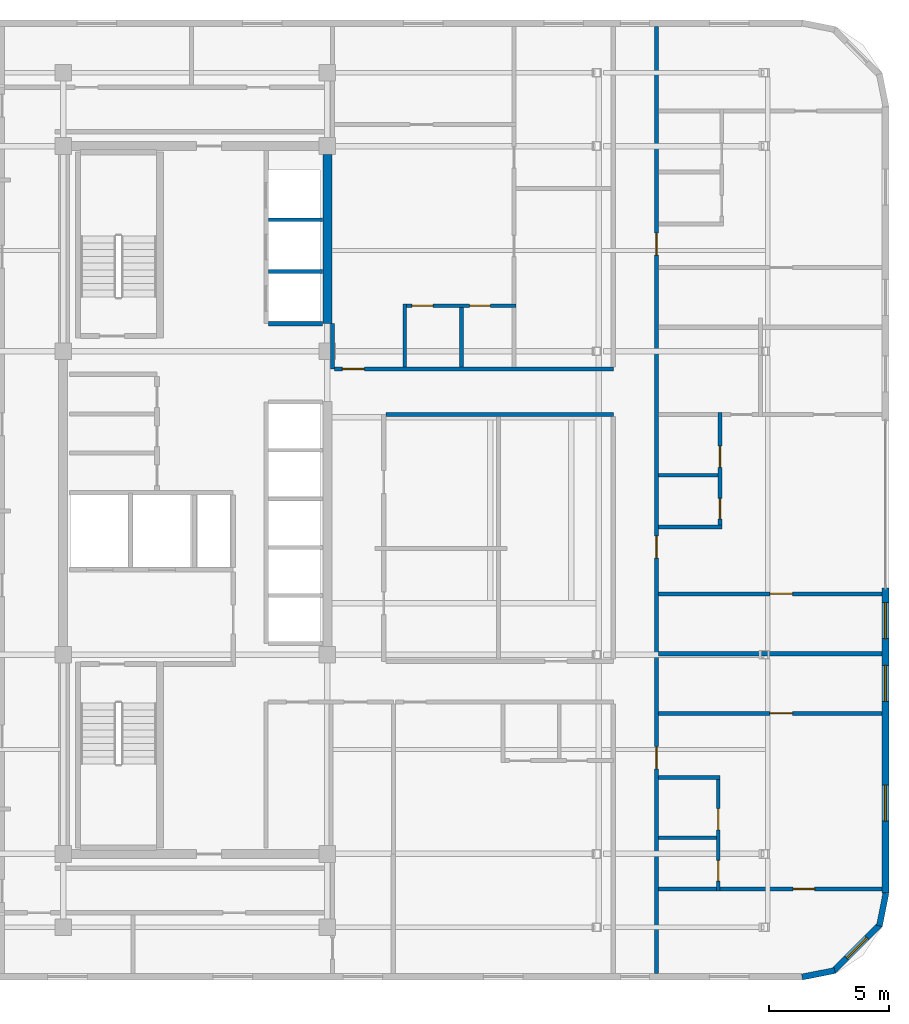
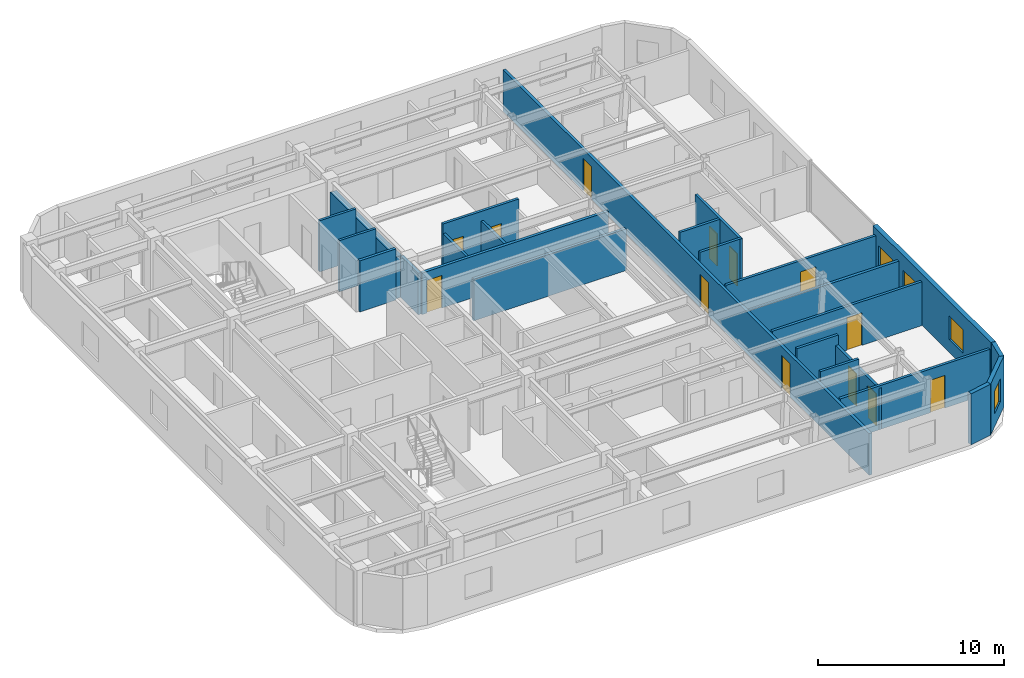
# One storey, part 6 of 9: 25 walls, 13 doors, 4 windows, 17 openings.
"""IFC4 building model written with IfcOpenShell, lengths in metres."""

import ifcopenshell
import ifcopenshell.guid

model = None  # the IFC model being written
_history = None  # IfcOwnerHistory: only IFC2X3 demands one
_inside = {}  # id of a spatial element -> (the spatial element, [elements in it])
_under = {}  # id of a project, library or spatial element -> (it, [spatial elements below it])
_declared = {}  # id of a project -> (the project, [libraries it declares])
_typed = {}  # id of a type object -> (the type object, [elements of that type])
_made_of = {}  # id of a material, layer set ... -> (it, [elements and type objects made of it])


def new_model(schema):
    """Start an empty IFC model of exactly this schema.

    Asked for "IFC4X3", IfcOpenShell would pick the latest addendum, in which some entities
    have other attributes; the version numbers below select the first issue.
    IFC2X3 requires an IfcOwnerHistory on every rooted entity: one is made here for all.
    """
    global model, _history
    if schema == "IFC4X3":
        model = ifcopenshell.file(schema_version=(4, 3, 0, 0))
    else:
        model = ifcopenshell.file(schema=schema)
    _inside.clear()
    _under.clear()
    _declared.clear()
    _typed.clear()
    _made_of.clear()
    _history = None
    if model.schema == "IFC2X3":
        org = make("IfcOrganization", Name="unknown")
        user = make(
            "IfcPersonAndOrganization",
            ThePerson=make("IfcPerson", FamilyName="unknown"),
            TheOrganization=org,
        )
        app = make(
            "IfcApplication",
            ApplicationDeveloper=org,
            Version="unknown",
            ApplicationFullName="unknown",
            ApplicationIdentifier="unknown",
        )
        _history = make(
            "IfcOwnerHistory",
            OwningUser=user,
            OwningApplication=app,
            ChangeAction="ADDED",
            CreationDate=0,
        )
    return model


def make(cls, **values):
    """One entity of the class cls with the attributes given. An attribute that is None is left unset."""
    return model.create_entity(
        cls, **{name: value for name, value in values.items() if value is not None}
    )


def rooted(cls, **values):
    """An entity with a GlobalId (a new one), such as an element, a storey or a relation."""
    return make(cls, GlobalId=ifcopenshell.guid.new(), OwnerHistory=_history, **values)


def si_unit(unit_type, name, prefix=None):
    """IfcSIUnit, for example si_unit("LENGTHUNIT", "METRE", prefix="MILLI")."""
    return make("IfcSIUnit", UnitType=unit_type, Prefix=prefix, Name=name)


def assignment(units):
    """IfcUnitAssignment: the units of a project."""
    return None if units is None else make("IfcUnitAssignment", Units=units)


def point(xyz):
    """IfcCartesianPoint."""
    return None if xyz is None else make("IfcCartesianPoint", Coordinates=xyz)


def direction(xyz):
    """IfcDirection."""
    return None if xyz is None else make("IfcDirection", DirectionRatios=xyz)


def frame(location, z_axis=None, x_axis=None):
    """IfcAxis2Placement3D, a coordinate frame: its origin and axes. An axis left out is left unset."""
    return make(
        "IfcAxis2Placement3D",
        Location=point(location),
        Axis=direction(z_axis),
        RefDirection=direction(x_axis),
    )


def frame_2d(location, x_axis=None):
    """IfcAxis2Placement2D, a coordinate frame in the plane: its origin and x axis."""
    return make(
        "IfcAxis2Placement2D", Location=point(location), RefDirection=direction(x_axis)
    )


def origin():
    """The frame at (0, 0, 0) with its axes left unset."""
    return frame((0.0, 0.0, 0.0))


def place(relative_to, where):
    """IfcLocalPlacement: puts the frame where relative to a parent placement (None: the world)."""
    return make(
        "IfcLocalPlacement", PlacementRelTo=relative_to, RelativePlacement=where
    )


def context(
    kind, dimensions, precision=None, world=None, true_north=None, identifier=None
):
    """IfcGeometricRepresentationContext, for example the 3D "Model" context."""
    return make(
        "IfcGeometricRepresentationContext",
        ContextIdentifier=identifier,
        ContextType=kind,
        CoordinateSpaceDimension=dimensions,
        Precision=precision,
        WorldCoordinateSystem=world,
        TrueNorth=true_north,
    )


def subcontext(parent, identifier, kind, view, scale=None):
    """IfcGeometricRepresentationSubContext, for example "Body" below "Model"."""
    return make(
        "IfcGeometricRepresentationSubContext",
        ContextIdentifier=identifier,
        ContextType=kind,
        ParentContext=parent,
        TargetScale=scale,
        TargetView=view,
    )


def project(units=None, contexts=None):
    """IfcProject with its units and contexts."""
    return rooted(
        "IfcProject",
        Name="project",
        RepresentationContexts=contexts,
        UnitsInContext=assignment(units),
    )


def spatial(cls, under=None, at=None, **own):
    """A site, building, storey or space (cls), placed at a placement, below another one or the project."""
    s = rooted(cls, ObjectPlacement=at, **own)
    if under is not None:
        _under.setdefault(under.id(), (under, []))[1].append(s)
    return s


def profile(cls, at=None, kind="AREA", **sizes):
    """A parametric profile (cls). Its sizes go by their IFC names, for example OverallWidth=200.0."""
    return make(cls, ProfileType=kind, Position=at, **sizes)


def rectangle(**sizes):
    """IfcRectangleProfileDef."""
    return profile("IfcRectangleProfileDef", **sizes)


def extrude(swept, where, along, depth):
    """IfcExtrudedAreaSolid: the profile swept, set in the frame where, extruded along a direction by depth."""
    return make(
        "IfcExtrudedAreaSolid",
        SweptArea=swept,
        Position=where,
        ExtrudedDirection=direction(along),
        Depth=depth,
    )


def shape(context_of_items, identifier, shape_type, items):
    """IfcShapeRepresentation: the items that make up one representation, for example the "Body"."""
    return make(
        "IfcShapeRepresentation",
        ContextOfItems=context_of_items,
        RepresentationIdentifier=identifier,
        RepresentationType=shape_type,
        Items=items,
    )


def material(Name=None, Category=None):
    """IfcMaterial."""
    return make("IfcMaterial", Name=Name, Category=Category)


def layer(
    of_material, thickness, ventilated=None, Name=None, Category=None, Priority=None
):
    """IfcMaterialLayer: one layer of a wall or slab, of a material (None: an air gap)."""
    return make(
        "IfcMaterialLayer",
        Material=of_material,
        LayerThickness=thickness,
        IsVentilated=ventilated,
        Name=Name,
        Category=Category,
        Priority=Priority,
    )


def layer_set(layers, Name=None):
    """IfcMaterialLayerSet."""
    return make("IfcMaterialLayerSet", MaterialLayers=layers, LayerSetName=Name)


def made_of(thing, what):
    """Note that an element or type object is made of a material, layer set ...; save() writes the relation."""
    if what is not None:
        _made_of.setdefault(what.id(), (what, []))[1].append(thing)
    return thing


def type_object(cls, material=None, **own):
    """A type object (cls), such as IfcWallType, which elements share."""
    return made_of(rooted(cls, **own), material)


def element(
    cls,
    number,
    at=None,
    inside=None,
    cuts=None,
    type_object=None,
    material=None,
    context=None,
    identifier="Body",
    shape_type=None,
    held_by="IfcProductDefinitionShape",
    body=None,
    shapes=None,
    **own,
):
    """One element of the class cls, such as IfcWall. Its Tag is "e" and its number.

    at: its placement. inside: the storey or other place that contains it. cuts: it is an
    opening in that element (IfcRelVoidsElement). A single representation is given by context,
    identifier, shape_type and body (its items); several are given by shapes. held_by: the class
    of the entity that holds the representations. save() writes the other relations.
    """
    e = rooted(cls, Tag="e%d" % number, ObjectPlacement=at, **own)
    if body is not None:
        shapes = [shape(context, identifier, shape_type, body)]
    if shapes is not None:
        e.Representation = make(held_by, Representations=shapes)
    if inside is not None:
        _inside.setdefault(inside.id(), (inside, []))[1].append(e)
    if cuts is not None:
        rooted(
            "IfcRelVoidsElement", RelatingBuildingElement=cuts, RelatedOpeningElement=e
        )
    if type_object is not None:
        _typed.setdefault(type_object.id(), (type_object, []))[1].append(e)
    return made_of(e, material)


def fill(opening, filler):
    """IfcRelFillsElement: the door or window that sits in an opening."""
    return rooted(
        "IfcRelFillsElement",
        RelatingOpeningElement=opening,
        RelatedBuildingElement=filler,
    )


def aggregate(whole, parts):
    """IfcRelAggregates: a whole, such as a stair, and the parts it consists of."""
    return rooted("IfcRelAggregates", RelatingObject=whole, RelatedObjects=parts)


def save(model, path):
    """Write the relations noted so far, then the file.

    IfcRelAggregates (storeys below a building ...), IfcRelContainedInSpatialStructure (elements
    in a storey), IfcRelDefinesByType, IfcRelAssociatesMaterial and IfcRelDeclares: one each for
    every whole, place, type object, material and project.
    """
    for whole, parts in _under.values():
        aggregate(whole, parts)
    for where, things in _inside.values():
        rooted(
            "IfcRelContainedInSpatialStructure",
            RelatedElements=things,
            RelatingStructure=where,
        )
    for kind, things in _typed.values():
        rooted("IfcRelDefinesByType", RelatedObjects=things, RelatingType=kind)
    for what, things in _made_of.values():
        rooted("IfcRelAssociatesMaterial", RelatedObjects=things, RelatingMaterial=what)
    for by, libraries in _declared.values():
        rooted("IfcRelDeclares", RelatingContext=by, RelatedDefinitions=libraries)
    model.write(path)


model = new_model("IFC4")

# Units and contexts
model_context = context("Model", 3, precision=1e-05, world=origin(), true_north=direction((0.0, 1.0)))
body_context = subcontext(model_context, "Body", "Model", "MODEL_VIEW")
ifc_project = project(units=[si_unit("LENGTHUNIT", "METRE"), si_unit("AREAUNIT", "SQUARE_METRE"), si_unit("VOLUMEUNIT", "CUBIC_METRE"), si_unit("PLANEANGLEUNIT", "RADIAN"), si_unit("MASSUNIT", "GRAM", prefix="KILO")], contexts=[model_context])

# Site, building, storey
site_placement = place(None, origin())
site = spatial("IfcSite", under=ifc_project, at=site_placement, CompositionType="ELEMENT")
building_placement = place(site_placement, origin())
building = spatial("IfcBuilding", under=site, at=building_placement, Name="Ochreholt Gables", CompositionType="ELEMENT")
storey_placement = place(building_placement, frame((0.0, 0.0, 184.800048828125)))
storey = spatial("IfcBuildingStorey", under=building, at=storey_placement, Name="L48", CompositionType="ELEMENT", Elevation=184.800048828125)

# Wall
ifc_material_1 = material(Name="Concrete 50 MPa", Category="concrete")
ifc_layer_1 = layer(ifc_material_1, 0.3798828125, Name="Concrete 50 MPa")
ifc_layer_set_1 = layer_set([ifc_layer_1], Name="Concrete 50 MPa")
wall_type_1 = type_object("IfcWallType", Name="WALL-CSW-380", PredefinedType="SHEAR", material=ifc_layer_set_1)
wall_1_placement = place(storey_placement, frame((35.2099609375, 31.35009765625, 0.0), z_axis=(0.0, 0.0, 1.0), x_axis=(0.0, 1.0, 0.0)))
element("IfcWall", 1, at=wall_1_placement, inside=storey, type_object=wall_type_1, Name="L48 Core North-East Shear Wall", PredefinedType="SHEAR", context=body_context, shape_type="SweptSolid", body=[
    extrude(rectangle(XDim=7.0498046875, YDim=0.3798828125, at=frame_2d((3.52490234375, 0.0))), origin(), (0.0, 0.0, 1.0), 2.748046875),
])

# Wall, openings, windows
ifc_material_2 = material(Name="Precast concrete 40 MPa", Category="concrete")
ifc_layer_2 = layer(ifc_material_2, 0.280029296875, Name="Precast concrete 40 MPa")
ifc_layer_set_2 = layer_set([ifc_layer_2], Name="Precast concrete 40 MPa")
wall_type_2 = type_object("IfcWallType", Name="WALL-EXT-280", PredefinedType="SOLIDWALL", material=ifc_layer_set_2)
wall_2_placement = place(storey_placement, frame((58.4599609375, 7.6201171875, 0.0), z_axis=(0.0, 0.0, 1.0), x_axis=(0.0, 1.0, 0.0)))
wall_2 = element("IfcWall", 2, at=wall_2_placement, inside=storey, type_object=wall_type_2, Name="L48 East Facade Wall 1", PredefinedType="SOLIDWALL", context=body_context, shape_type="SweptSolid", body=[
    extrude(rectangle(XDim=12.719970703125, YDim=0.280029296875, at=frame_2d((6.35986328125, 0.0))), origin(), (0.0, 0.0, 1.0), 3.35986328125),
])
opening_1_placement = place(wall_2_placement, frame((2.9951171875, 0.0, 0.85009765625)))
opening_1 = element("IfcOpeningElement", 3, at=opening_1_placement, cuts=wall_2, Name="Opening WN-2", PredefinedType="OPENING", context=body_context, shape_type="SweptSolid", body=[
    extrude(rectangle(XDim=1.5, YDim=1.550048828125, at=frame_2d((0.75, 0.77490234375))), frame((0.0, 0.14990234375, 0.0), z_axis=(0.0, -1.0, 0.0), x_axis=(1.0, 0.0, 0.0)), (0.0, 0.0, 1.0), 0.300048828125),
])
opening_2_placement = place(wall_2_placement, frame((7.985107421875, 0.0, 0.85009765625)))
opening_2 = element("IfcOpeningElement", 4, at=opening_2_placement, cuts=wall_2, Name="Opening WN-2", PredefinedType="OPENING", context=body_context, shape_type="SweptSolid", body=[
    extrude(rectangle(XDim=1.5, YDim=1.550048828125, at=frame_2d((0.75, 0.77490234375))), frame((0.0, 0.14990234375, 0.0), z_axis=(0.0, -1.0, 0.0), x_axis=(1.0, 0.0, 0.0)), (0.0, 0.0, 1.0), 0.300048828125),
])
opening_3_placement = place(wall_2_placement, frame((10.60009765625, 0.0, 0.85009765625)))
opening_3 = element("IfcOpeningElement", 5, at=opening_3_placement, cuts=wall_2, Name="Opening WN-2", PredefinedType="OPENING", context=body_context, shape_type="SweptSolid", body=[
    extrude(rectangle(XDim=1.5, YDim=1.550048828125, at=frame_2d((0.75, 0.77490234375))), frame((0.0, 0.14990234375, 0.0), z_axis=(0.0, -1.0, 0.0), x_axis=(1.0, 0.0, 0.0)), (0.0, 0.0, 1.0), 0.300048828125),
])
ifc_material_3 = material(Name="Triple-Glazed Thermally Broken Aluminium Window", Category="aluminium")
window_type_1 = type_object("IfcWindowType", Name="WIN-RES-1500", PartitioningType="SINGLE_PANEL", PredefinedType="WINDOW", material=ifc_material_3)
window_1_placement = place(opening_1_placement, origin())
window_1 = element("IfcWindow", 6, at=window_1_placement, inside=storey, type_object=window_type_1, Name="L48 Window W-EXT-E1-L48-1", OverallHeight=1.550048828125, OverallWidth=1.5, PartitioningType="SINGLE_PANEL", PredefinedType="WINDOW", context=body_context, shape_type="SweptSolid", body=[
    extrude(rectangle(XDim=1.5, YDim=1.550048828125, at=frame_2d((0.75, 0.77490234375))), frame((0.0, 0.030029296875, 0.0), z_axis=(0.0, -1.0, 0.0), x_axis=(1.0, 0.0, 0.0)), (0.0, 0.0, 1.0), 0.06005859375),
])
fill(opening_1, window_1)
window_2_placement = place(opening_2_placement, origin())
window_2 = element("IfcWindow", 7, at=window_2_placement, inside=storey, type_object=window_type_1, Name="L48 Window W-EXT-E1-L48-2", OverallHeight=1.550048828125, OverallWidth=1.5, PartitioningType="SINGLE_PANEL", PredefinedType="WINDOW", context=body_context, shape_type="SweptSolid", body=[
    extrude(rectangle(XDim=1.5, YDim=1.550048828125, at=frame_2d((0.75, 0.77490234375))), frame((0.0, 0.030029296875, 0.0), z_axis=(0.0, -1.0, 0.0), x_axis=(1.0, 0.0, 0.0)), (0.0, 0.0, 1.0), 0.06005859375),
])
fill(opening_2, window_2)
window_3_placement = place(opening_3_placement, origin())
window_3 = element("IfcWindow", 8, at=window_3_placement, inside=storey, type_object=window_type_1, Name="L48 Window W-EXT-E1-L48-3", OverallHeight=1.550048828125, OverallWidth=1.5, PartitioningType="SINGLE_PANEL", PredefinedType="WINDOW", context=body_context, shape_type="SweptSolid", body=[
    extrude(rectangle(XDim=1.5, YDim=1.550048828125, at=frame_2d((0.75, 0.77490234375))), frame((0.0, 0.030029296875, 0.0), z_axis=(0.0, -1.0, 0.0), x_axis=(1.0, 0.0, 0.0)), (0.0, 0.0, 1.0), 0.06005859375),
])
fill(opening_3, window_3)

# Wall
ifc_layer_3 = layer(ifc_material_2, 0.25, Name="Precast concrete 40 MPa")
ifc_layer_set_3 = layer_set([ifc_layer_3], Name="Precast concrete 40 MPa")
wall_type_3 = type_object("IfcWallType", Name="WALL-EXT-CNR", PredefinedType="SOLIDWALL", material=ifc_layer_set_3)
wall_3_placement = place(storey_placement, frame((54.9833984375, 4.124267578125, 0.0), z_axis=(0.0, 0.0, 1.0), x_axis=(0.980809899341, 0.19496651342, 0.0)))
element("IfcWall", 9, at=wall_3_placement, inside=storey, type_object=wall_type_3, Name="L48 Rounded Corner Wall SE-1", PredefinedType="SOLIDWALL", context=body_context, shape_type="SweptSolid", body=[
    extrude(rectangle(XDim=1.388671875, YDim=0.25, at=frame_2d((0.6943359375, 0.0))), origin(), (0.0, 0.0, 1.0), 3.35986328125),
])

# Wall, opening, window
wall_4_placement = place(storey_placement, frame((56.294921875, 4.367919921875, 0.0), z_axis=(0.0, 0.0, 1.0), x_axis=(0.707106781187, 0.707106781187, 0.0)))
wall_4 = element("IfcWall", 10, at=wall_4_placement, inside=storey, type_object=wall_type_3, Name="L48 Rounded Corner Wall SE-2", PredefinedType="SOLIDWALL", context=body_context, shape_type="SweptSolid", body=[
    extrude(rectangle(XDim=2.7392578125, YDim=0.25, at=frame_2d((1.36962890625, 0.0))), origin(), (0.0, 0.0, 1.0), 3.35986328125),
])
opening_4_placement = place(wall_4_placement, frame((0.769775390625, 0.0, 0.85009765625)))
opening_4 = element("IfcOpeningElement", 11, at=opening_4_placement, cuts=wall_4, Name="Opening WN-3", PredefinedType="OPENING", context=body_context, shape_type="SweptSolid", body=[
    extrude(rectangle(XDim=1.199951171875, YDim=1.5, at=frame_2d((0.60009765625, 0.75))), frame((0.0, 0.135009765625, 0.0), z_axis=(0.0, -1.0, 0.0), x_axis=(1.0, 0.0, 0.0)), (0.0, 0.0, 1.0), 0.27001953125),
])
window_type_2 = type_object("IfcWindowType", Name="WIN-RES-1200", PartitioningType="SINGLE_PANEL", PredefinedType="WINDOW", material=ifc_material_3)
window_4_placement = place(opening_4_placement, origin())
window_4 = element("IfcWindow", 12, at=window_4_placement, inside=storey, type_object=window_type_2, Name="L48 Corner Bedroom Window SE", OverallHeight=1.5, OverallWidth=1.199951171875, PartitioningType="SINGLE_PANEL", PredefinedType="WINDOW", context=body_context, shape_type="SweptSolid", body=[
    extrude(rectangle(XDim=1.199951171875, YDim=1.5, at=frame_2d((0.60009765625, 0.75))), frame((0.0, 0.030029296875, 0.0), z_axis=(0.0, -1.0, 0.0), x_axis=(1.0, 0.0, 0.0)), (0.0, 0.0, 1.0), 0.06005859375),
])
fill(opening_4, window_4)

# Walls
wall_5_placement = place(storey_placement, frame((58.205078125, 6.25439453125, 0.0), z_axis=(0.0, 0.0, 1.0), x_axis=(0.19496651342, 0.980809899341, 0.0)))
element("IfcWall", 13, at=wall_5_placement, inside=storey, type_object=wall_type_3, Name="L48 Rounded Corner Wall SE-3", PredefinedType="SOLIDWALL", context=body_context, shape_type="SweptSolid", body=[
    extrude(rectangle(XDim=1.388671875, YDim=0.25, at=frame_2d((0.6943359375, 0.0))), origin(), (0.0, 0.0, 1.0), 3.35986328125),
])
ifc_material_4 = material(Name="Fire-Rated Gypsum Acoustic Partition", Category="gypsum")
ifc_layer_4 = layer(ifc_material_4, 0.179931640625, Name="Fire-Rated Gypsum Acoustic Partition")
ifc_layer_set_4 = layer_set([ifc_layer_4], Name="Fire-Rated Gypsum Acoustic Partition")
wall_type_4 = type_object("IfcWallType", Name="WALL-INT-CR180", PredefinedType="STANDARD", material=ifc_layer_set_4)
wall_6_placement = place(storey_placement, frame((37.639892578125, 27.56005859375, 0.0), z_axis=(0.0, 0.0, 1.0), x_axis=(1.0, 0.0, 0.0)))
element("IfcWall", 14, at=wall_6_placement, inside=storey, type_object=wall_type_4, Name="L48 Interior Wall WI-C2SN1-L48", PredefinedType="STANDARD", context=body_context, shape_type="SweptSolid", body=[
    extrude(rectangle(XDim=9.47705078125, YDim=0.179931640625, at=frame_2d((4.738525390625, 0.0))), origin(), (0.0, 0.0, 1.0), 2.72998046875),
])
wall_7_placement = place(storey_placement, frame((35.419921875, 29.4599609375, 0.0), z_axis=(0.0, 0.0, 1.0), x_axis=(0.0, 1.0, 0.0)))
element("IfcWall", 15, at=wall_7_placement, inside=storey, type_object=wall_type_4, Name="L48 Interior Wall WI-C2NCL-L48", PredefinedType="STANDARD", context=body_context, shape_type="SweptSolid", body=[
    extrude(rectangle(XDim=1.89013671875, YDim=0.179931640625, at=frame_2d((0.945068359375, 0.0))), origin(), (0.0, 0.0, 1.0), 2.72998046875),
])

# Wall, opening, door
wall_8_placement = place(storey_placement, frame((35.510009765625, 29.4599609375, 0.0), z_axis=(0.0, 0.0, 1.0), x_axis=(1.0, 0.0, 0.0)))
wall_8 = element("IfcWall", 16, at=wall_8_placement, inside=storey, type_object=wall_type_4, Name="L48 Interior Wall WI-C2SN2-L48", PredefinedType="STANDARD", context=body_context, shape_type="SweptSolid", body=[
    extrude(rectangle(XDim=11.60693359375, YDim=0.179931640625, at=frame_2d((5.803466796875, 0.0))), origin(), (0.0, 0.0, 1.0), 2.72998046875),
])
opening_5_placement = place(wall_8_placement, frame((0.320068359375, 0.0, 0.0)))
opening_5 = element("IfcOpeningElement", 17, at=opening_5_placement, cuts=wall_8, Name="Opening D-UN1", PredefinedType="OPENING", context=body_context, shape_type="SweptSolid", body=[
    extrude(rectangle(XDim=0.919921875, YDim=2.14990234375, at=frame_2d((0.4599609375, 1.074951171875))), frame((0.0, 0.099853515625, 0.0), z_axis=(0.0, -1.0, 0.0), x_axis=(1.0, 0.0, 0.0)), (0.0, 0.0, 1.0), 0.199951171875),
])
ifc_material_5 = material(Name="Engineered Oak Timber", Category="wood")
door_type_1 = type_object("IfcDoorType", Name="DR-INT-UNT920", OperationType="NOTDEFINED", PredefinedType="DOOR", material=ifc_material_5)
door_1_placement = place(opening_5_placement, origin())
door_1 = element("IfcDoor", 18, at=door_1_placement, inside=storey, type_object=door_type_1, Name="L48 Door D-U-L48N1-ENT", OperationType="SINGLE_SWING_LEFT", OverallHeight=2.14990234375, OverallWidth=0.919921875, PredefinedType="DOOR", context=body_context, shape_type="SweptSolid", body=[
    extrude(rectangle(XDim=0.919921875, YDim=2.14990234375, at=frame_2d((0.4599609375, 1.074951171875))), frame((0.0, 0.02490234375, 0.0), z_axis=(0.0, -1.0, 0.0), x_axis=(1.0, 0.0, 0.0)), (0.0, 0.0, 1.0), 0.050048828125),
])
fill(opening_5, door_1)

# Wall, openings, doors
wall_9_placement = place(storey_placement, frame((48.9169921875, 4.280029296875, 0.0), z_axis=(0.0, 0.0, 1.0), x_axis=(0.0, 1.0, 0.0)))
wall_9 = element("IfcWall", 19, at=wall_9_placement, inside=storey, type_object=wall_type_4, Name="L48 Interior Wall WI-C2FEG-L48", PredefinedType="STANDARD", context=body_context, shape_type="SweptSolid", body=[
    extrude(rectangle(XDim=39.43994140625, YDim=0.179931640625, at=frame_2d((19.719970703125, 0.0))), origin(), (0.0, 0.0, 1.0), 2.72998046875),
])
opening_6_placement = place(wall_9_placement, frame((8.52001953125, 0.0, 0.0)))
opening_6 = element("IfcOpeningElement", 20, at=opening_6_placement, cuts=wall_9, Name="Opening D-UN1", PredefinedType="OPENING", context=body_context, shape_type="SweptSolid", body=[
    extrude(rectangle(XDim=0.919921875, YDim=2.14990234375, at=frame_2d((0.4599609375, 1.074951171875))), frame((0.0, 0.099853515625, 0.0), z_axis=(0.0, -1.0, 0.0), x_axis=(1.0, 0.0, 0.0)), (0.0, 0.0, 1.0), 0.199951171875),
])
opening_7_placement = place(wall_9_placement, frame((17.301513671875, 0.0, 0.0)))
opening_7 = element("IfcOpeningElement", 21, at=opening_7_placement, cuts=wall_9, Name="Opening D-UN1", PredefinedType="OPENING", context=body_context, shape_type="SweptSolid", body=[
    extrude(rectangle(XDim=0.919921875, YDim=2.14990234375, at=frame_2d((0.4599609375, 1.074951171875))), frame((0.0, 0.099853515625, 0.0), z_axis=(0.0, -1.0, 0.0), x_axis=(1.0, 0.0, 0.0)), (0.0, 0.0, 1.0), 0.199951171875),
])
opening_8_placement = place(wall_9_placement, frame((29.923095703125, 0.0, 0.0)))
opening_8 = element("IfcOpeningElement", 22, at=opening_8_placement, cuts=wall_9, Name="Opening D-UN1", PredefinedType="OPENING", context=body_context, shape_type="SweptSolid", body=[
    extrude(rectangle(XDim=0.919921875, YDim=2.14990234375, at=frame_2d((0.4599609375, 1.074951171875))), frame((0.0, 0.099853515625, 0.0), z_axis=(0.0, -1.0, 0.0), x_axis=(1.0, 0.0, 0.0)), (0.0, 0.0, 1.0), 0.199951171875),
])
door_2_placement = place(opening_6_placement, origin())
door_2 = element("IfcDoor", 23, at=door_2_placement, inside=storey, type_object=door_type_1, Name="L48 Door D-U-L48FE1-ENT", OperationType="SINGLE_SWING_RIGHT", OverallHeight=2.14990234375, OverallWidth=0.919921875, PredefinedType="DOOR", context=body_context, shape_type="SweptSolid", body=[
    extrude(rectangle(XDim=0.919921875, YDim=2.14990234375, at=frame_2d((0.4599609375, 1.074951171875))), frame((0.0, 0.02490234375, 0.0), z_axis=(0.0, -1.0, 0.0), x_axis=(1.0, 0.0, 0.0)), (0.0, 0.0, 1.0), 0.050048828125),
])
fill(opening_6, door_2)
door_3_placement = place(opening_7_placement, origin())
door_3 = element("IfcDoor", 24, at=door_3_placement, inside=storey, type_object=door_type_1, Name="L48 Door D-U-L48FE2-ENT", OperationType="SINGLE_SWING_LEFT", OverallHeight=2.14990234375, OverallWidth=0.919921875, PredefinedType="DOOR", context=body_context, shape_type="SweptSolid", body=[
    extrude(rectangle(XDim=0.919921875, YDim=2.14990234375, at=frame_2d((0.4599609375, 1.074951171875))), frame((0.0, 0.02490234375, 0.0), z_axis=(0.0, -1.0, 0.0), x_axis=(1.0, 0.0, 0.0)), (0.0, 0.0, 1.0), 0.050048828125),
])
fill(opening_7, door_3)
door_4_placement = place(opening_8_placement, origin())
door_4 = element("IfcDoor", 25, at=door_4_placement, inside=storey, type_object=door_type_1, Name="L48 Door D-U-L48FE3-ENT", OperationType="SINGLE_SWING_RIGHT", OverallHeight=2.14990234375, OverallWidth=0.919921875, PredefinedType="DOOR", context=body_context, shape_type="SweptSolid", body=[
    extrude(rectangle(XDim=0.919921875, YDim=2.14990234375, at=frame_2d((0.4599609375, 1.074951171875))), frame((0.0, 0.02490234375, 0.0), z_axis=(0.0, -1.0, 0.0), x_axis=(1.0, 0.0, 0.0)), (0.0, 0.0, 1.0), 0.050048828125),
])
fill(opening_8, door_4)

# Wall
ifc_material_6 = material(Name="Double-Stud Acoustic Demising Wall", Category="gypsum")
ifc_layer_5 = layer(ifc_material_6, 0.179931640625, Name="Double-Stud Acoustic Demising Wall")
ifc_layer_set_5 = layer_set([ifc_layer_5], Name="Double-Stud Acoustic Demising Wall")
wall_type_5 = type_object("IfcWallType", Name="WALL-INT-DM180", PredefinedType="PARTITIONING", material=ifc_layer_set_5)
wall_10_placement = place(storey_placement, frame((49.007080078125, 17.60009765625, 0.0), z_axis=(0.0, 0.0, 1.0), x_axis=(1.0, 0.0, 0.0)))
element("IfcWall", 26, at=wall_10_placement, inside=storey, type_object=wall_type_5, Name="L48 Interior Wall WI-C2FED2-L48", PredefinedType="PARTITIONING", context=body_context, shape_type="SweptSolid", body=[
    extrude(rectangle(XDim=9.31298828125, YDim=0.179931640625, at=frame_2d((4.656494140625, 0.0))), origin(), (0.0, 0.0, 1.0), 2.72998046875),
])

# Wall, openings, doors
ifc_material_7 = material(Name="Moisture-Resistant Plumbing Chase Wall", Category="gypsum")
ifc_layer_6 = layer(ifc_material_7, 0.159912109375, Name="Moisture-Resistant Plumbing Chase Wall")
ifc_layer_set_6 = layer_set([ifc_layer_6], Name="Moisture-Resistant Plumbing Chase Wall")
wall_type_6 = type_object("IfcWallType", Name="WALL-INT-PL160", PredefinedType="PLUMBINGWALL", material=ifc_layer_set_6)
wall_11_placement = place(storey_placement, frame((38.346923828125, 32.094970703125, 0.0), z_axis=(0.0, 0.0, 1.0), x_axis=(1.0, 0.0, 0.0)))
wall_11 = element("IfcWall", 27, at=wall_11_placement, inside=storey, type_object=wall_type_6, Name="L48 Interior Wall WU-L48N1-WY", PredefinedType="PLUMBINGWALL", context=body_context, shape_type="SweptSolid", body=[
    extrude(rectangle(XDim=4.7099609375, YDim=0.159912109375, at=frame_2d((2.35498046875, 0.0))), origin(), (0.0, 0.0, 1.0), 3.35986328125),
])
opening_9_placement = place(wall_11_placement, frame((0.3798828125, 0.0, 0.0)))
opening_9 = element("IfcOpeningElement", 28, at=opening_9_placement, cuts=wall_11, Name="Opening D-GN2", PredefinedType="OPENING", context=body_context, shape_type="SweptSolid", body=[
    extrude(rectangle(XDim=0.8798828125, YDim=2.1201171875, at=frame_2d((0.43994140625, 1.06005859375))), frame((0.0, 0.08984375, 0.0), z_axis=(0.0, -1.0, 0.0), x_axis=(1.0, 0.0, 0.0)), (0.0, 0.0, 1.0), 0.179931640625),
])
opening_10_placement = place(wall_11_placement, frame((2.785888671875, 0.0, 0.0)))
opening_10 = element("IfcOpeningElement", 29, at=opening_10_placement, cuts=wall_11, Name="Opening D-BT1", PredefinedType="OPENING", context=body_context, shape_type="SweptSolid", body=[
    extrude(rectangle(XDim=0.860107421875, YDim=2.1201171875, at=frame_2d((0.43017578125, 1.06005859375))), frame((0.0, 0.08984375, 0.0), z_axis=(0.0, -1.0, 0.0), x_axis=(1.0, 0.0, 0.0)), (0.0, 0.0, 1.0), 0.179931640625),
])
door_type_2 = type_object("IfcDoorType", Name="DR-INT-BTH860", OperationType="NOTDEFINED", PredefinedType="DOOR", material=ifc_material_5)
door_5_placement = place(opening_10_placement, origin())
door_5 = element("IfcDoor", 30, at=door_5_placement, inside=storey, type_object=door_type_2, Name="L48 Door D-U-L48N1-BTH", OperationType="SINGLE_SWING_LEFT", OverallHeight=2.1201171875, OverallWidth=0.860107421875, PredefinedType="DOOR", context=body_context, shape_type="SweptSolid", body=[
    extrude(rectangle(XDim=0.860107421875, YDim=2.1201171875, at=frame_2d((0.43017578125, 1.06005859375))), frame((0.0, 0.02490234375, 0.0), z_axis=(0.0, -1.0, 0.0), x_axis=(1.0, 0.0, 0.0)), (0.0, 0.0, 1.0), 0.050048828125),
])
fill(opening_10, door_5)
door_type_3 = type_object("IfcDoorType", Name="DR-INT-GEN880", OperationType="NOTDEFINED", PredefinedType="DOOR", material=ifc_material_5)
door_6_placement = place(opening_9_placement, origin())
door_6 = element("IfcDoor", 31, at=door_6_placement, inside=storey, type_object=door_type_3, Name="L48 Door D-U-L48N1-KIT", OperationType="SINGLE_SWING_RIGHT", OverallHeight=2.1201171875, OverallWidth=0.8798828125, PredefinedType="DOOR", context=body_context, shape_type="SweptSolid", body=[
    extrude(rectangle(XDim=0.8798828125, YDim=2.1201171875, at=frame_2d((0.43994140625, 1.06005859375))), frame((0.0, 0.02490234375, 0.0), z_axis=(0.0, -1.0, 0.0), x_axis=(1.0, 0.0, 0.0)), (0.0, 0.0, 1.0), 0.050048828125),
])
fill(opening_9, door_6)

# Walls
wall_12_placement = place(storey_placement, frame((38.427001953125, 29.550048828125, 0.0), z_axis=(0.0, 0.0, 1.0), x_axis=(0.0, 1.0, 0.0)))
element("IfcWall", 32, at=wall_12_placement, inside=storey, type_object=wall_type_6, Name="L48 Interior Wall WU-L48N1-FY", PredefinedType="PLUMBINGWALL", context=body_context, shape_type="SweptSolid", body=[
    extrude(rectangle(XDim=2.625, YDim=0.159912109375, at=frame_2d((1.3125, 0.0))), origin(), (0.0, 0.0, 1.0), 2.72998046875),
])
wall_13_placement = place(storey_placement, frame((40.79296875, 29.550048828125, 0.0), z_axis=(0.0, 0.0, 1.0), x_axis=(0.0, 1.0, 0.0)))
element("IfcWall", 33, at=wall_13_placement, inside=storey, type_object=wall_type_6, Name="L48 Interior Wall WU-L48N1-WK", PredefinedType="PLUMBINGWALL", context=body_context, shape_type="SweptSolid", body=[
    extrude(rectangle(XDim=2.46484375, YDim=0.159912109375, at=frame_2d((1.232421875, 0.0))), origin(), (0.0, 0.0, 1.0), 2.72998046875),
])
wall_14_placement = place(storey_placement, frame((49.007080078125, 12.43994140625, 0.0), z_axis=(0.0, 0.0, 1.0), x_axis=(1.0, 0.0, 0.0)))
element("IfcWall", 34, at=wall_14_placement, inside=storey, type_object=wall_type_6, Name="L48 Interior Wall WU-L48FE1-FYN", PredefinedType="PLUMBINGWALL", context=body_context, shape_type="SweptSolid", body=[
    extrude(rectangle(XDim=2.559814453125, YDim=0.159912109375, at=frame_2d((1.27978515625, 0.0))), origin(), (0.0, 0.0, 1.0), 3.35986328125),
])

# Wall, openings, doors
wall_15_placement = place(storey_placement, frame((51.487060546875, 7.699951171875, 0.0), z_axis=(0.0, 0.0, 1.0), x_axis=(0.0, 1.0, 0.0)))
wall_15 = element("IfcWall", 35, at=wall_15_placement, inside=storey, type_object=wall_type_6, Name="L48 Interior Wall WU-L48FE1-WX", PredefinedType="PLUMBINGWALL", context=body_context, shape_type="SweptSolid", body=[
    extrude(rectangle(XDim=4.830078125, YDim=0.159912109375, at=frame_2d((2.4150390625, 0.0))), origin(), (0.0, 0.0, 1.0), 2.72998046875),
])
opening_11_placement = place(wall_15_placement, frame((0.419921875, 0.0, 0.0)))
opening_11 = element("IfcOpeningElement", 36, at=opening_11_placement, cuts=wall_15, Name="Opening D-BT1", PredefinedType="OPENING", context=body_context, shape_type="SweptSolid", body=[
    extrude(rectangle(XDim=0.860107421875, YDim=2.1201171875, at=frame_2d((0.43017578125, 1.06005859375))), frame((0.0, 0.08984375, 0.0), z_axis=(0.0, -1.0, 0.0), x_axis=(1.0, 0.0, 0.0)), (0.0, 0.0, 1.0), 0.179931640625),
])
opening_12_placement = place(wall_15_placement, frame((2.55908203125, 0.0, 0.0)))
opening_12 = element("IfcOpeningElement", 37, at=opening_12_placement, cuts=wall_15, Name="Opening D-GN2", PredefinedType="OPENING", context=body_context, shape_type="SweptSolid", body=[
    extrude(rectangle(XDim=0.8798828125, YDim=2.1201171875, at=frame_2d((0.43994140625, 1.06005859375))), frame((0.0, 0.08984375, 0.0), z_axis=(0.0, -1.0, 0.0), x_axis=(1.0, 0.0, 0.0)), (0.0, 0.0, 1.0), 0.179931640625),
])
door_7_placement = place(opening_11_placement, origin())
door_7 = element("IfcDoor", 38, at=door_7_placement, inside=storey, type_object=door_type_2, Name="L48 Door D-U-L48FE1-BTH", OperationType="SINGLE_SWING_LEFT", OverallHeight=2.1201171875, OverallWidth=0.860107421875, PredefinedType="DOOR", context=body_context, shape_type="SweptSolid", body=[
    extrude(rectangle(XDim=0.860107421875, YDim=2.1201171875, at=frame_2d((0.43017578125, 1.06005859375))), frame((0.0, 0.02490234375, 0.0), z_axis=(0.0, -1.0, 0.0), x_axis=(1.0, 0.0, 0.0)), (0.0, 0.0, 1.0), 0.050048828125),
])
fill(opening_11, door_7)
door_8_placement = place(opening_12_placement, origin())
door_8 = element("IfcDoor", 39, at=door_8_placement, inside=storey, type_object=door_type_3, Name="L48 Door D-U-L48FE1-KIT", OperationType="SINGLE_SWING_RIGHT", OverallHeight=2.1201171875, OverallWidth=0.8798828125, PredefinedType="DOOR", context=body_context, shape_type="SweptSolid", body=[
    extrude(rectangle(XDim=0.8798828125, YDim=2.1201171875, at=frame_2d((0.43994140625, 1.06005859375))), frame((0.0, 0.02490234375, 0.0), z_axis=(0.0, -1.0, 0.0), x_axis=(1.0, 0.0, 0.0)), (0.0, 0.0, 1.0), 0.050048828125),
])
fill(opening_12, door_8)

# Walls
wall_16_placement = place(storey_placement, frame((49.007080078125, 9.928955078125, 0.0), z_axis=(0.0, 0.0, 1.0), x_axis=(1.0, 0.0, 0.0)))
element("IfcWall", 40, at=wall_16_placement, inside=storey, type_object=wall_type_6, Name="L48 Interior Wall WU-L48FE1-WK", PredefinedType="PLUMBINGWALL", context=body_context, shape_type="SweptSolid", body=[
    extrude(rectangle(XDim=2.39990234375, YDim=0.159912109375, at=frame_2d((1.199951171875, 0.0))), origin(), (0.0, 0.0, 1.0), 3.35986328125),
])
wall_17_placement = place(storey_placement, frame((49.007080078125, 22.881591796875, 0.0), z_axis=(0.0, 0.0, 1.0), x_axis=(1.0, 0.0, 0.0)))
element("IfcWall", 41, at=wall_17_placement, inside=storey, type_object=wall_type_6, Name="L48 Interior Wall WU-L48FE2-FYS", PredefinedType="PLUMBINGWALL", context=body_context, shape_type="SweptSolid", body=[
    extrude(rectangle(XDim=2.635986328125, YDim=0.159912109375, at=frame_2d((1.31787109375, 0.0))), origin(), (0.0, 0.0, 1.0), 3.35986328125),
])

# Wall, openings, doors
wall_18_placement = place(storey_placement, frame((51.56298828125, 22.79150390625, 0.0), z_axis=(0.0, 0.0, 1.0), x_axis=(0.0, 1.0, 0.0)))
wall_18 = element("IfcWall", 42, at=wall_18_placement, inside=storey, type_object=wall_type_6, Name="L48 Interior Wall WU-L48FE2-WX", PredefinedType="PLUMBINGWALL", context=body_context, shape_type="SweptSolid", body=[
    extrude(rectangle(XDim=4.8583984375, YDim=0.159912109375, at=frame_2d((2.42919921875, 0.0))), origin(), (0.0, 0.0, 1.0), 3.35986328125),
])
opening_13_placement = place(wall_18_placement, frame((0.419921875, 0.0, 0.0)))
opening_13 = element("IfcOpeningElement", 43, at=opening_13_placement, cuts=wall_18, Name="Opening D-BT1", PredefinedType="OPENING", context=body_context, shape_type="SweptSolid", body=[
    extrude(rectangle(XDim=0.860107421875, YDim=2.1201171875, at=frame_2d((0.43017578125, 1.06005859375))), frame((0.0, 0.08984375, 0.0), z_axis=(0.0, -1.0, 0.0), x_axis=(1.0, 0.0, 0.0)), (0.0, 0.0, 1.0), 0.179931640625),
])
opening_14_placement = place(wall_18_placement, frame((2.572021484375, 0.0, 0.0)))
opening_14 = element("IfcOpeningElement", 44, at=opening_14_placement, cuts=wall_18, Name="Opening D-GN2", PredefinedType="OPENING", context=body_context, shape_type="SweptSolid", body=[
    extrude(rectangle(XDim=0.8798828125, YDim=2.1201171875, at=frame_2d((0.43994140625, 1.06005859375))), frame((0.0, 0.08984375, 0.0), z_axis=(0.0, -1.0, 0.0), x_axis=(1.0, 0.0, 0.0)), (0.0, 0.0, 1.0), 0.179931640625),
])
door_9_placement = place(opening_13_placement, origin())
door_9 = element("IfcDoor", 45, at=door_9_placement, inside=storey, type_object=door_type_2, Name="L48 Door D-U-L48FE2-BTH", OperationType="SINGLE_SWING_RIGHT", OverallHeight=2.1201171875, OverallWidth=0.860107421875, PredefinedType="DOOR", context=body_context, shape_type="SweptSolid", body=[
    extrude(rectangle(XDim=0.860107421875, YDim=2.1201171875, at=frame_2d((0.43017578125, 1.06005859375))), frame((0.0, 0.02490234375, 0.0), z_axis=(0.0, -1.0, 0.0), x_axis=(1.0, 0.0, 0.0)), (0.0, 0.0, 1.0), 0.050048828125),
])
fill(opening_13, door_9)
door_10_placement = place(opening_14_placement, origin())
door_10 = element("IfcDoor", 46, at=door_10_placement, inside=storey, type_object=door_type_3, Name="L48 Door D-U-L48FE2-KIT", OperationType="SINGLE_SWING_LEFT", OverallHeight=2.1201171875, OverallWidth=0.8798828125, PredefinedType="DOOR", context=body_context, shape_type="SweptSolid", body=[
    extrude(rectangle(XDim=0.8798828125, YDim=2.1201171875, at=frame_2d((0.43994140625, 1.06005859375))), frame((0.0, 0.02490234375, 0.0), z_axis=(0.0, -1.0, 0.0), x_axis=(1.0, 0.0, 0.0)), (0.0, 0.0, 1.0), 0.050048828125),
])
fill(opening_14, door_10)

# Wall
wall_19_placement = place(storey_placement, frame((49.007080078125, 25.03369140625, 0.0), z_axis=(0.0, 0.0, 1.0), x_axis=(1.0, 0.0, 0.0)))
element("IfcWall", 47, at=wall_19_placement, inside=storey, type_object=wall_type_6, Name="L48 Interior Wall WU-L48FE2-WK", PredefinedType="PLUMBINGWALL", context=body_context, shape_type="SweptSolid", body=[
    extrude(rectangle(XDim=2.475830078125, YDim=0.159912109375, at=frame_2d((1.23779296875, 0.0))), origin(), (0.0, 0.0, 1.0), 3.35986328125),
])

# Wall, opening, door
ifc_material_8 = material(Name="Gypsum Acoustic Stud Partition", Category="gypsum")
ifc_layer_7 = layer(ifc_material_8, 0.1650390625, Name="Gypsum Acoustic Stud Partition")
ifc_layer_set_7 = layer_set([ifc_layer_7], Name="Gypsum Acoustic Stud Partition")
wall_type_7 = type_object("IfcWallType", Name="WALL-INT-PT165", PredefinedType="PARTITIONING", material=ifc_layer_set_7)
wall_20_placement = place(storey_placement, frame((49.007080078125, 7.7900390625, 0.0), z_axis=(0.0, 0.0, 1.0), x_axis=(1.0, 0.0, 0.0)))
wall_20 = element("IfcWall", 48, at=wall_20_placement, inside=storey, type_object=wall_type_7, Name="L48 Interior Wall WU-L48FE1-MN", PredefinedType="PARTITIONING", context=body_context, shape_type="SweptSolid", body=[
    extrude(rectangle(XDim=9.31298828125, YDim=0.1650390625, at=frame_2d((4.656494140625, 0.0))), origin(), (0.0, 0.0, 1.0), 2.87890625),
])
opening_15_placement = place(wall_20_placement, frame((5.6015625, 0.0, 0.0)))
opening_15 = element("IfcOpeningElement", 49, at=opening_15_placement, cuts=wall_20, Name="Opening D-BD1", PredefinedType="OPENING", context=body_context, shape_type="SweptSolid", body=[
    extrude(rectangle(XDim=0.89990234375, YDim=2.139892578125, at=frame_2d((0.449951171875, 1.06982421875))), frame((0.0, 0.092529296875, 0.0), z_axis=(0.0, -1.0, 0.0), x_axis=(1.0, 0.0, 0.0)), (0.0, 0.0, 1.0), 0.18505859375),
])
door_type_4 = type_object("IfcDoorType", Name="DR-INT-BED900", OperationType="NOTDEFINED", PredefinedType="DOOR", material=ifc_material_5)
door_11_placement = place(opening_15_placement, origin())
door_11 = element("IfcDoor", 50, at=door_11_placement, inside=storey, type_object=door_type_4, Name="L48 Door D-U-L48FE1-BD1", OperationType="SINGLE_SWING_LEFT", OverallHeight=2.139892578125, OverallWidth=0.89990234375, PredefinedType="DOOR", context=body_context, shape_type="SweptSolid", body=[
    extrude(rectangle(XDim=0.89990234375, YDim=2.139892578125, at=frame_2d((0.449951171875, 1.06982421875))), frame((0.0, 0.02490234375, 0.0), z_axis=(0.0, -1.0, 0.0), x_axis=(1.0, 0.0, 0.0)), (0.0, 0.0, 1.0), 0.050048828125),
])
fill(opening_15, door_11)

wall_21_placement = place(storey_placement, frame((49.007080078125, 15.110107421875, 0.0), z_axis=(0.0, 0.0, 1.0), x_axis=(1.0, 0.0, 0.0)))
wall_21 = element("IfcWall", 51, at=wall_21_placement, inside=storey, type_object=wall_type_7, Name="L48 Interior Wall WU-L48FE1-DNW", PredefinedType="PARTITIONING", context=body_context, shape_type="SweptSolid", body=[
    extrude(rectangle(XDim=9.31298828125, YDim=0.1650390625, at=frame_2d((4.656494140625, 0.0))), origin(), (0.0, 0.0, 1.0), 2.87890625),
])
opening_16_placement = place(wall_21_placement, frame((4.631591796875, 0.0, 0.0)))
opening_16 = element("IfcOpeningElement", 52, at=opening_16_placement, cuts=wall_21, Name="Opening D-GN1", PredefinedType="OPENING", context=body_context, shape_type="SweptSolid", body=[
    extrude(rectangle(XDim=0.949951171875, YDim=2.14990234375, at=frame_2d((0.47509765625, 1.074951171875))), frame((0.0, 0.092529296875, 0.0), z_axis=(0.0, -1.0, 0.0), x_axis=(1.0, 0.0, 0.0)), (0.0, 0.0, 1.0), 0.18505859375),
])
door_type_5 = type_object("IfcDoorType", Name="DR-INT-GEN950", OperationType="NOTDEFINED", PredefinedType="DOOR", material=ifc_material_5)
door_12_placement = place(opening_16_placement, origin())
door_12 = element("IfcDoor", 53, at=door_12_placement, inside=storey, type_object=door_type_5, Name="L48 Door D-U-L48FE1-DIN", OperationType="SINGLE_SWING_LEFT", OverallHeight=2.14990234375, OverallWidth=0.949951171875, PredefinedType="DOOR", context=body_context, shape_type="SweptSolid", body=[
    extrude(rectangle(XDim=0.949951171875, YDim=2.14990234375, at=frame_2d((0.47509765625, 1.074951171875))), frame((0.0, 0.02490234375, 0.0), z_axis=(0.0, -1.0, 0.0), x_axis=(1.0, 0.0, 0.0)), (0.0, 0.0, 1.0), 0.050048828125),
])
fill(opening_16, door_12)

wall_22_placement = place(storey_placement, frame((49.007080078125, 20.090087890625, 0.0), z_axis=(0.0, 0.0, 1.0), x_axis=(1.0, 0.0, 0.0)))
wall_22 = element("IfcWall", 54, at=wall_22_placement, inside=storey, type_object=wall_type_7, Name="L48 Interior Wall WU-L48FE2-DNW", PredefinedType="PARTITIONING", context=body_context, shape_type="SweptSolid", body=[
    extrude(rectangle(XDim=9.31298828125, YDim=0.1650390625, at=frame_2d((4.656494140625, 0.0))), origin(), (0.0, 0.0, 1.0), 2.87890625),
])
opening_17_placement = place(wall_22_placement, frame((4.631591796875, 0.0, 0.0)))
opening_17 = element("IfcOpeningElement", 55, at=opening_17_placement, cuts=wall_22, Name="Opening D-GN1", PredefinedType="OPENING", context=body_context, shape_type="SweptSolid", body=[
    extrude(rectangle(XDim=0.949951171875, YDim=2.14990234375, at=frame_2d((0.47509765625, 1.074951171875))), frame((0.0, 0.092529296875, 0.0), z_axis=(0.0, -1.0, 0.0), x_axis=(1.0, 0.0, 0.0)), (0.0, 0.0, 1.0), 0.18505859375),
])
door_13_placement = place(opening_17_placement, origin())
door_13 = element("IfcDoor", 56, at=door_13_placement, inside=storey, type_object=door_type_5, Name="L48 Door D-U-L48FE2-DIN", OperationType="SINGLE_SWING_RIGHT", OverallHeight=2.14990234375, OverallWidth=0.949951171875, PredefinedType="DOOR", context=body_context, shape_type="SweptSolid", body=[
    extrude(rectangle(XDim=0.949951171875, YDim=2.14990234375, at=frame_2d((0.47509765625, 1.074951171875))), frame((0.0, 0.02490234375, 0.0), z_axis=(0.0, -1.0, 0.0), x_axis=(1.0, 0.0, 0.0)), (0.0, 0.0, 1.0), 0.050048828125),
])
fill(opening_17, door_13)

# Walls
ifc_material_9 = material(Name="Gypsum Shaftliner and Steel Stud", Category="steel")
ifc_layer_8 = layer(ifc_material_9, 0.14990234375, Name="Gypsum Shaftliner and Steel Stud")
ifc_layer_set_8 = layer_set([ifc_layer_8], Name="Gypsum Shaftliner and Steel Stud")
wall_type_8 = type_object("IfcWallType", Name="WALL-INT-SH150", PredefinedType="STANDARD", material=ifc_layer_set_8)
for number, where, z_axis, x_axis, name in (
    (57, (32.739990234375, 33.52001953125, 0.0), (0.0, 0.0, 1.0), (1.0, 0.0, 0.0), "L48 Interior Wall WI-LFM-D1-L48"),
    (58, (32.739990234375, 35.669921875, 0.0), (0.0, 0.0, 1.0), (1.0, 0.0, 0.0), "L48 Interior Wall WI-LFM-D2-L48"),
):
    element("IfcWall", number, at=place(storey_placement, frame(where, z_axis=z_axis, x_axis=x_axis)), inside=storey, type_object=wall_type_8, Name=name, PredefinedType="STANDARD", context=body_context, shape_type="SweptSolid", body=[
        extrude(rectangle(XDim=2.260009765625, YDim=0.14990234375, at=frame_2d((1.1298828125, 0.0))), origin(), (0.0, 0.0, 1.0), 3.35986328125),
    ])
ifc_layer_9 = layer(ifc_material_9, 0.179931640625, Name="Gypsum Shaftliner and Steel Stud")
ifc_layer_set_9 = layer_set([ifc_layer_9], Name="Gypsum Shaftliner and Steel Stud")
wall_type_9 = type_object("IfcWallType", Name="WALL-INT-SH180", PredefinedType="STANDARD", material=ifc_layer_set_9)
wall_23_placement = place(storey_placement, frame((32.739990234375, 31.35009765625, 0.0), z_axis=(0.0, 0.0, 1.0), x_axis=(1.0, 0.0, 0.0)))
element("IfcWall", 59, at=wall_23_placement, inside=storey, type_object=wall_type_9, Name="L48 Interior Wall WI-LFM-S-L48", PredefinedType="STANDARD", context=body_context, shape_type="SweptSolid", body=[
    extrude(rectangle(XDim=2.260009765625, YDim=0.179931640625, at=frame_2d((1.1298828125, 0.0))), origin(), (0.0, 0.0, 1.0), 3.35986328125),
])

save(model, "model.ifc")
